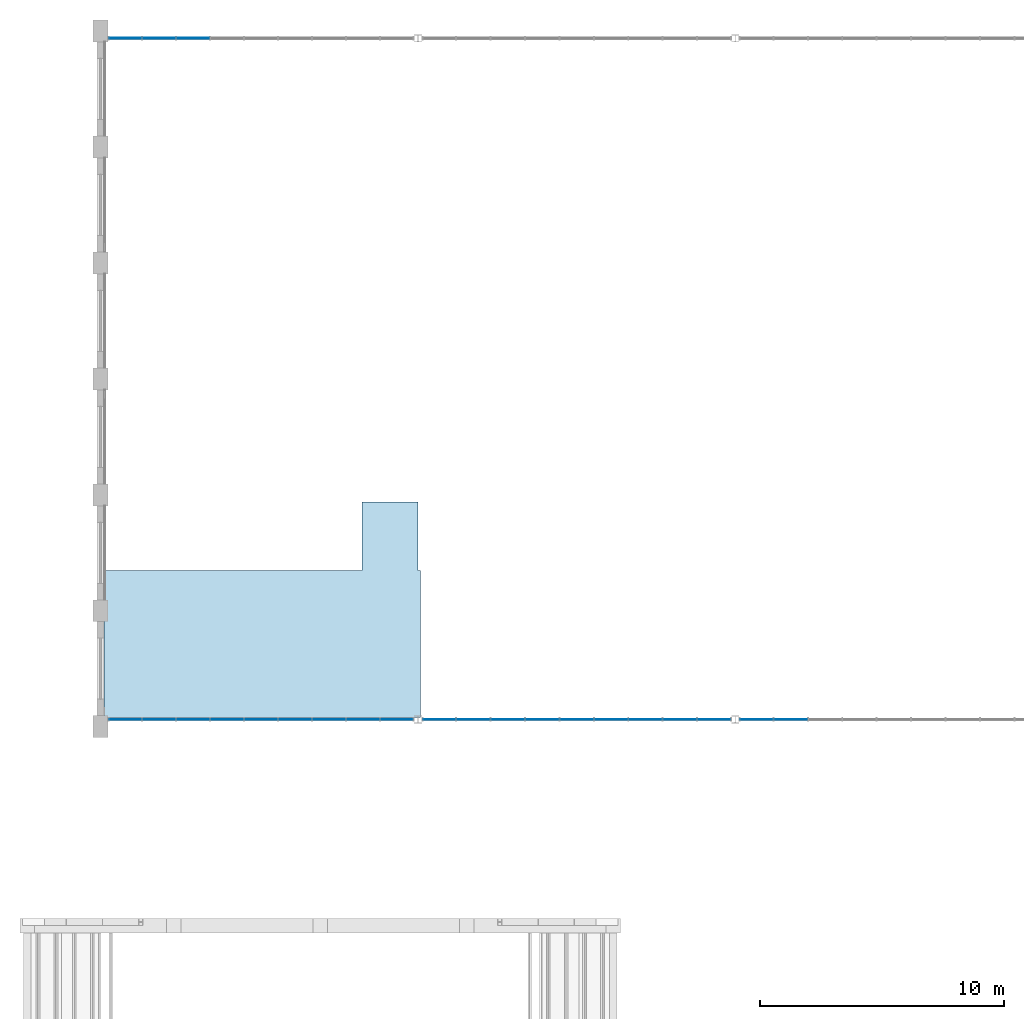
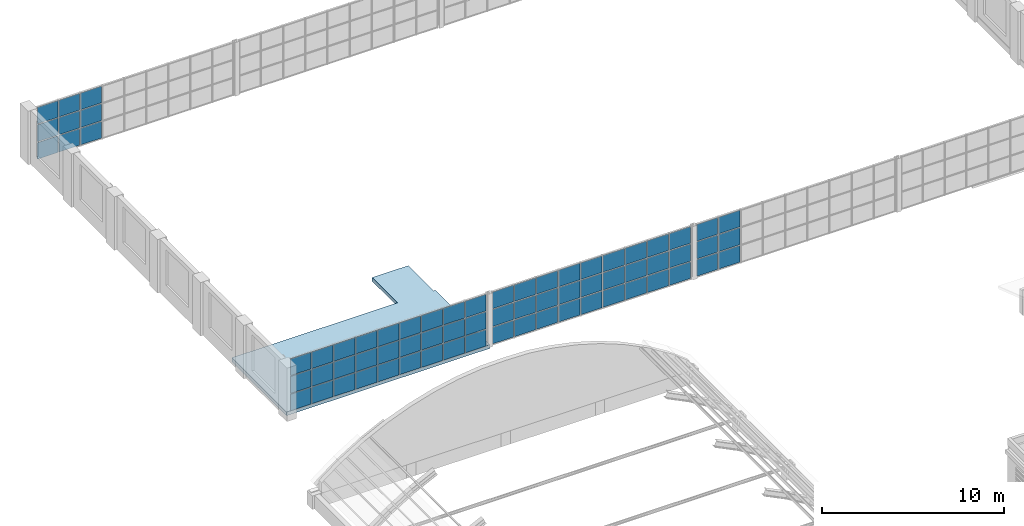
# One storey, part 27 of 70: 69 plates, 1 slab, 4 elements without a shape of their own.
"""IFC4 building model written with IfcOpenShell, lengths in metres."""

from ifc_helpers import new_model, si_unit, direction, frame, origin, origin_2d, place, context, subcontext, project, spatial, polyline, rectangle, outline, extrude, material, layer, layer_set, type_object, element, aggregate, save


model = new_model("IFC4")

# Units and contexts
model_context = context("Model", 3, precision=1e-05, world=origin(), true_north=direction((0.0, 1.0)))
body_context = subcontext(model_context, "Body", "Model", "MODEL_VIEW")
ifc_project = project(units=[si_unit("LENGTHUNIT", "METRE"), si_unit("AREAUNIT", "SQUARE_METRE"), si_unit("VOLUMEUNIT", "CUBIC_METRE"), si_unit("PLANEANGLEUNIT", "RADIAN"), si_unit("MASSUNIT", "GRAM", prefix="KILO")], contexts=[model_context])

# Site, building, storey
site_placement = place(None, origin())
site = spatial("IfcSite", under=ifc_project, at=site_placement, CompositionType="ELEMENT")
building_placement = place(site_placement, origin())
building = spatial("IfcBuilding", under=site, at=building_placement, Name="Elbe Cascade School", CompositionType="ELEMENT")
storey_placement = place(building_placement, frame((0.0, 0.0, 8.10009765625)))
storey = spatial("IfcBuildingStorey", under=building, at=storey_placement, Name="L02", CompositionType="ELEMENT", Elevation=8.10009765625)

# Slab
ifc_material_1 = material(Name="Concrete C30/37", Category="concrete")
ifc_layer_1 = layer(ifc_material_1, 0.25)
ifc_layer_set_1 = layer_set([ifc_layer_1], Name="Concrete C30/37")
slab_type = type_object("IfcSlabType", Name="Hall block roof slab Concrete C30/37", PredefinedType="ROOF", material=ifc_layer_set_1)
slab_placement = place(storey_placement, frame((0.0, 0.0, -0.25)))
element("IfcSlab", 1, at=slab_placement, inside=storey, type_object=slab_type, Name="Stair and lobby roof slab", PredefinedType="ROOF", context=body_context, shape_type="SweptSolid", body=[
    extrude(outline(polyline([(21.10009765625, 47.39990234375), (21.10009765625, 41.375), (8.14990234375, 41.375), (8.14990234375, 47.39990234375), (18.699951171875, 47.39990234375), (18.699951171875, 50.199951171875), (21.0, 50.199951171875), (21.0, 47.39990234375), (21.10009765625, 47.39990234375)])), origin(), (0.0, 0.0, 1.0), 0.25),
])

# Curtain wall, plates
ifc_material_2 = material(Name="Glass - double glazed low-E", Category="glass")
curtain_wall_type = type_object("IfcCurtainWallType", Name="Hall gable curtain wall", PredefinedType="NOTDEFINED", material=ifc_material_2)
curtain_wall_1_placement = place(storey_placement, origin())
curtain_wall_1 = element("IfcCurtainWall", 2, at=curtain_wall_1_placement, inside=storey, type_object=curtain_wall_type, Name="Gable curtain wall S1", PredefinedType="NOTDEFINED")
ifc_material_3 = material(Name="Glass - double glazed low-E", Category="glass")
ifc_layer_2 = layer(ifc_material_3, 0.028076171875)
ifc_layer_set_2 = layer_set([ifc_layer_2], Name="Glass - double glazed low-E")
plate_type = type_object("IfcPlateType", Name="Hall gable glass panel", PredefinedType="CURTAIN_PANEL", material=ifc_layer_set_2)
plate_1_placement = place(storey_placement, frame((9.01220703125, 41.300048828125, 0.06005859375), z_axis=(0.0, 0.0, 1.0), x_axis=(1.0, 0.0, 0.0)))
plate_1 = element("IfcPlate", 3, at=plate_1_placement, type_object=plate_type, Name="CW6 panel 1.1", PredefinedType="CURTAIN_PANEL", context=body_context, shape_type="SweptSolid", body=[
    extrude(rectangle(XDim=1.304443359375, YDim=0.028076171875, at=origin_2d()), origin(), (0.0, 0.0, 1.0), 1.110107421875),
])
plate_2_placement = place(storey_placement, frame((9.01220703125, 41.300048828125, 1.22998046875), z_axis=(0.0, 0.0, 1.0), x_axis=(1.0, 0.0, 0.0)))
plate_2 = element("IfcPlate", 4, at=plate_2_placement, type_object=plate_type, Name="CW6 panel 1.2", PredefinedType="CURTAIN_PANEL", context=body_context, shape_type="SweptSolid", body=[
    extrude(rectangle(XDim=1.304443359375, YDim=0.028076171875, at=origin_2d()), origin(), (0.0, 0.0, 1.0), 1.139892578125),
])
plate_3_placement = place(storey_placement, frame((9.01220703125, 41.300048828125, 2.4296875), z_axis=(0.0, 0.0, 1.0), x_axis=(1.0, 0.0, 0.0)))
plate_3 = element("IfcPlate", 5, at=plate_3_placement, type_object=plate_type, Name="CW6 panel 1.3", PredefinedType="CURTAIN_PANEL", context=body_context, shape_type="SweptSolid", body=[
    extrude(rectangle(XDim=1.304443359375, YDim=0.028076171875, at=origin_2d()), origin(), (0.0, 0.0, 1.0), 1.110107421875),
])
plate_4_placement = place(storey_placement, frame((10.3916015625, 41.300048828125, 0.06005859375), z_axis=(0.0, 0.0, 1.0), x_axis=(1.0, 0.0, 0.0)))
plate_4 = element("IfcPlate", 6, at=plate_4_placement, type_object=plate_type, Name="CW6 panel 2.1", PredefinedType="CURTAIN_PANEL", context=body_context, shape_type="SweptSolid", body=[
    extrude(rectangle(XDim=1.33447265625, YDim=0.028076171875, at=origin_2d()), origin(), (0.0, 0.0, 1.0), 1.110107421875),
])
plate_5_placement = place(storey_placement, frame((10.3916015625, 41.300048828125, 1.22998046875), z_axis=(0.0, 0.0, 1.0), x_axis=(1.0, 0.0, 0.0)))
plate_5 = element("IfcPlate", 7, at=plate_5_placement, type_object=plate_type, Name="CW6 panel 2.2", PredefinedType="CURTAIN_PANEL", context=body_context, shape_type="SweptSolid", body=[
    extrude(rectangle(XDim=1.33447265625, YDim=0.028076171875, at=origin_2d()), origin(), (0.0, 0.0, 1.0), 1.139892578125),
])
plate_6_placement = place(storey_placement, frame((10.3916015625, 41.300048828125, 2.4296875), z_axis=(0.0, 0.0, 1.0), x_axis=(1.0, 0.0, 0.0)))
plate_6 = element("IfcPlate", 8, at=plate_6_placement, type_object=plate_type, Name="CW6 panel 2.3", PredefinedType="CURTAIN_PANEL", context=body_context, shape_type="SweptSolid", body=[
    extrude(rectangle(XDim=1.33447265625, YDim=0.028076171875, at=origin_2d()), origin(), (0.0, 0.0, 1.0), 1.110107421875),
])
plate_7_placement = place(storey_placement, frame((11.7861328125, 41.300048828125, 0.06005859375), z_axis=(0.0, 0.0, 1.0), x_axis=(1.0, 0.0, 0.0)))
plate_7 = element("IfcPlate", 9, at=plate_7_placement, type_object=plate_type, Name="CW6 panel 3.1", PredefinedType="CURTAIN_PANEL", context=body_context, shape_type="SweptSolid", body=[
    extrude(rectangle(XDim=1.33447265625, YDim=0.028076171875, at=origin_2d()), origin(), (0.0, 0.0, 1.0), 1.110107421875),
])
plate_8_placement = place(storey_placement, frame((11.7861328125, 41.300048828125, 1.22998046875), z_axis=(0.0, 0.0, 1.0), x_axis=(1.0, 0.0, 0.0)))
plate_8 = element("IfcPlate", 10, at=plate_8_placement, type_object=plate_type, Name="CW6 panel 3.2", PredefinedType="CURTAIN_PANEL", context=body_context, shape_type="SweptSolid", body=[
    extrude(rectangle(XDim=1.33447265625, YDim=0.028076171875, at=origin_2d()), origin(), (0.0, 0.0, 1.0), 1.139892578125),
])
plate_9_placement = place(storey_placement, frame((11.7861328125, 41.300048828125, 2.4296875), z_axis=(0.0, 0.0, 1.0), x_axis=(1.0, 0.0, 0.0)))
plate_9 = element("IfcPlate", 11, at=plate_9_placement, type_object=plate_type, Name="CW6 panel 3.3", PredefinedType="CURTAIN_PANEL", context=body_context, shape_type="SweptSolid", body=[
    extrude(rectangle(XDim=1.33447265625, YDim=0.028076171875, at=origin_2d()), origin(), (0.0, 0.0, 1.0), 1.110107421875),
])
plate_10_placement = place(storey_placement, frame((13.1806640625, 41.300048828125, 0.06005859375), z_axis=(0.0, 0.0, 1.0), x_axis=(1.0, 0.0, 0.0)))
plate_10 = element("IfcPlate", 12, at=plate_10_placement, type_object=plate_type, Name="CW6 panel 4.1", PredefinedType="CURTAIN_PANEL", context=body_context, shape_type="SweptSolid", body=[
    extrude(rectangle(XDim=1.33447265625, YDim=0.028076171875, at=origin_2d()), origin(), (0.0, 0.0, 1.0), 1.110107421875),
])
plate_11_placement = place(storey_placement, frame((13.1806640625, 41.300048828125, 1.22998046875), z_axis=(0.0, 0.0, 1.0), x_axis=(1.0, 0.0, 0.0)))
plate_11 = element("IfcPlate", 13, at=plate_11_placement, type_object=plate_type, Name="CW6 panel 4.2", PredefinedType="CURTAIN_PANEL", context=body_context, shape_type="SweptSolid", body=[
    extrude(rectangle(XDim=1.33447265625, YDim=0.028076171875, at=origin_2d()), origin(), (0.0, 0.0, 1.0), 1.139892578125),
])
plate_12_placement = place(storey_placement, frame((13.1806640625, 41.300048828125, 2.4296875), z_axis=(0.0, 0.0, 1.0), x_axis=(1.0, 0.0, 0.0)))
plate_12 = element("IfcPlate", 14, at=plate_12_placement, type_object=plate_type, Name="CW6 panel 4.3", PredefinedType="CURTAIN_PANEL", context=body_context, shape_type="SweptSolid", body=[
    extrude(rectangle(XDim=1.33447265625, YDim=0.028076171875, at=origin_2d()), origin(), (0.0, 0.0, 1.0), 1.110107421875),
])
plate_13_placement = place(storey_placement, frame((14.574951171875, 41.300048828125, 0.06005859375), z_axis=(0.0, 0.0, 1.0), x_axis=(1.0, 0.0, 0.0)))
plate_13 = element("IfcPlate", 15, at=plate_13_placement, type_object=plate_type, Name="CW6 panel 5.1", PredefinedType="CURTAIN_PANEL", context=body_context, shape_type="SweptSolid", body=[
    extrude(rectangle(XDim=1.33447265625, YDim=0.028076171875, at=origin_2d()), origin(), (0.0, 0.0, 1.0), 1.110107421875),
])
plate_14_placement = place(storey_placement, frame((14.574951171875, 41.300048828125, 1.22998046875), z_axis=(0.0, 0.0, 1.0), x_axis=(1.0, 0.0, 0.0)))
plate_14 = element("IfcPlate", 16, at=plate_14_placement, type_object=plate_type, Name="CW6 panel 5.2", PredefinedType="CURTAIN_PANEL", context=body_context, shape_type="SweptSolid", body=[
    extrude(rectangle(XDim=1.33447265625, YDim=0.028076171875, at=origin_2d()), origin(), (0.0, 0.0, 1.0), 1.139892578125),
])
plate_15_placement = place(storey_placement, frame((14.574951171875, 41.300048828125, 2.4296875), z_axis=(0.0, 0.0, 1.0), x_axis=(1.0, 0.0, 0.0)))
plate_15 = element("IfcPlate", 17, at=plate_15_placement, type_object=plate_type, Name="CW6 panel 5.3", PredefinedType="CURTAIN_PANEL", context=body_context, shape_type="SweptSolid", body=[
    extrude(rectangle(XDim=1.33447265625, YDim=0.028076171875, at=origin_2d()), origin(), (0.0, 0.0, 1.0), 1.110107421875),
])
plate_16_placement = place(storey_placement, frame((15.969482421875, 41.300048828125, 0.06005859375), z_axis=(0.0, 0.0, 1.0), x_axis=(1.0, 0.0, 0.0)))
plate_16 = element("IfcPlate", 18, at=plate_16_placement, type_object=plate_type, Name="CW6 panel 6.1", PredefinedType="CURTAIN_PANEL", context=body_context, shape_type="SweptSolid", body=[
    extrude(rectangle(XDim=1.33447265625, YDim=0.028076171875, at=origin_2d()), origin(), (0.0, 0.0, 1.0), 1.110107421875),
])
plate_17_placement = place(storey_placement, frame((15.969482421875, 41.300048828125, 1.22998046875), z_axis=(0.0, 0.0, 1.0), x_axis=(1.0, 0.0, 0.0)))
plate_17 = element("IfcPlate", 19, at=plate_17_placement, type_object=plate_type, Name="CW6 panel 6.2", PredefinedType="CURTAIN_PANEL", context=body_context, shape_type="SweptSolid", body=[
    extrude(rectangle(XDim=1.33447265625, YDim=0.028076171875, at=origin_2d()), origin(), (0.0, 0.0, 1.0), 1.139892578125),
])
plate_18_placement = place(storey_placement, frame((15.969482421875, 41.300048828125, 2.4296875), z_axis=(0.0, 0.0, 1.0), x_axis=(1.0, 0.0, 0.0)))
plate_18 = element("IfcPlate", 20, at=plate_18_placement, type_object=plate_type, Name="CW6 panel 6.3", PredefinedType="CURTAIN_PANEL", context=body_context, shape_type="SweptSolid", body=[
    extrude(rectangle(XDim=1.33447265625, YDim=0.028076171875, at=origin_2d()), origin(), (0.0, 0.0, 1.0), 1.110107421875),
])
plate_19_placement = place(storey_placement, frame((17.36376953125, 41.300048828125, 0.06005859375), z_axis=(0.0, 0.0, 1.0), x_axis=(1.0, 0.0, 0.0)))
plate_19 = element("IfcPlate", 21, at=plate_19_placement, type_object=plate_type, Name="CW6 panel 7.1", PredefinedType="CURTAIN_PANEL", context=body_context, shape_type="SweptSolid", body=[
    extrude(rectangle(XDim=1.33447265625, YDim=0.028076171875, at=origin_2d()), origin(), (0.0, 0.0, 1.0), 1.110107421875),
])
plate_20_placement = place(storey_placement, frame((17.36376953125, 41.300048828125, 1.22998046875), z_axis=(0.0, 0.0, 1.0), x_axis=(1.0, 0.0, 0.0)))
plate_20 = element("IfcPlate", 22, at=plate_20_placement, type_object=plate_type, Name="CW6 panel 7.2", PredefinedType="CURTAIN_PANEL", context=body_context, shape_type="SweptSolid", body=[
    extrude(rectangle(XDim=1.33447265625, YDim=0.028076171875, at=origin_2d()), origin(), (0.0, 0.0, 1.0), 1.139892578125),
])
plate_21_placement = place(storey_placement, frame((17.36376953125, 41.300048828125, 2.4296875), z_axis=(0.0, 0.0, 1.0), x_axis=(1.0, 0.0, 0.0)))
plate_21 = element("IfcPlate", 23, at=plate_21_placement, type_object=plate_type, Name="CW6 panel 7.3", PredefinedType="CURTAIN_PANEL", context=body_context, shape_type="SweptSolid", body=[
    extrude(rectangle(XDim=1.33447265625, YDim=0.028076171875, at=origin_2d()), origin(), (0.0, 0.0, 1.0), 1.110107421875),
])
plate_22_placement = place(storey_placement, frame((18.75830078125, 41.300048828125, 0.06005859375), z_axis=(0.0, 0.0, 1.0), x_axis=(1.0, 0.0, 0.0)))
plate_22 = element("IfcPlate", 24, at=plate_22_placement, type_object=plate_type, Name="CW6 panel 8.1", PredefinedType="CURTAIN_PANEL", context=body_context, shape_type="SweptSolid", body=[
    extrude(rectangle(XDim=1.33447265625, YDim=0.028076171875, at=origin_2d()), origin(), (0.0, 0.0, 1.0), 1.110107421875),
])
plate_23_placement = place(storey_placement, frame((18.75830078125, 41.300048828125, 1.22998046875), z_axis=(0.0, 0.0, 1.0), x_axis=(1.0, 0.0, 0.0)))
plate_23 = element("IfcPlate", 25, at=plate_23_placement, type_object=plate_type, Name="CW6 panel 8.2", PredefinedType="CURTAIN_PANEL", context=body_context, shape_type="SweptSolid", body=[
    extrude(rectangle(XDim=1.33447265625, YDim=0.028076171875, at=origin_2d()), origin(), (0.0, 0.0, 1.0), 1.139892578125),
])
plate_24_placement = place(storey_placement, frame((18.75830078125, 41.300048828125, 2.4296875), z_axis=(0.0, 0.0, 1.0), x_axis=(1.0, 0.0, 0.0)))
plate_24 = element("IfcPlate", 26, at=plate_24_placement, type_object=plate_type, Name="CW6 panel 8.3", PredefinedType="CURTAIN_PANEL", context=body_context, shape_type="SweptSolid", body=[
    extrude(rectangle(XDim=1.33447265625, YDim=0.028076171875, at=origin_2d()), origin(), (0.0, 0.0, 1.0), 1.110107421875),
])
plate_25_placement = place(storey_placement, frame((20.1376953125, 41.300048828125, 0.06005859375), z_axis=(0.0, 0.0, 1.0), x_axis=(1.0, 0.0, 0.0)))
plate_25 = element("IfcPlate", 27, at=plate_25_placement, type_object=plate_type, Name="CW6 panel 9.1", PredefinedType="CURTAIN_PANEL", context=body_context, shape_type="SweptSolid", body=[
    extrude(rectangle(XDim=1.304443359375, YDim=0.028076171875, at=origin_2d()), origin(), (0.0, 0.0, 1.0), 1.110107421875),
])
plate_26_placement = place(storey_placement, frame((20.1376953125, 41.300048828125, 1.22998046875), z_axis=(0.0, 0.0, 1.0), x_axis=(1.0, 0.0, 0.0)))
plate_26 = element("IfcPlate", 28, at=plate_26_placement, type_object=plate_type, Name="CW6 panel 9.2", PredefinedType="CURTAIN_PANEL", context=body_context, shape_type="SweptSolid", body=[
    extrude(rectangle(XDim=1.304443359375, YDim=0.028076171875, at=origin_2d()), origin(), (0.0, 0.0, 1.0), 1.139892578125),
])
plate_27_placement = place(storey_placement, frame((20.1376953125, 41.300048828125, 2.4296875), z_axis=(0.0, 0.0, 1.0), x_axis=(1.0, 0.0, 0.0)))
plate_27 = element("IfcPlate", 29, at=plate_27_placement, type_object=plate_type, Name="CW6 panel 9.3", PredefinedType="CURTAIN_PANEL", context=body_context, shape_type="SweptSolid", body=[
    extrude(rectangle(XDim=1.304443359375, YDim=0.028076171875, at=origin_2d()), origin(), (0.0, 0.0, 1.0), 1.110107421875),
])
aggregate(curtain_wall_1, [plate_1, plate_2, plate_3, plate_4, plate_5, plate_6, plate_7, plate_8, plate_9, plate_10, plate_11, plate_12, plate_13, plate_14, plate_15, plate_16, plate_17, plate_18, plate_19, plate_20, plate_21, plate_22, plate_23, plate_24, plate_25, plate_26, plate_27])

curtain_wall_2_placement = place(storey_placement, origin())
curtain_wall_2 = element("IfcCurtainWall", 30, at=curtain_wall_2_placement, inside=storey, type_object=curtain_wall_type, Name="Gable curtain wall S2", PredefinedType="NOTDEFINED")
plate_28_placement = place(storey_placement, frame((21.87060546875, 41.300048828125, 0.06005859375), z_axis=(0.0, 0.0, 1.0), x_axis=(1.0, 0.0, 0.0)))
plate_28 = element("IfcPlate", 31, at=plate_28_placement, type_object=plate_type, Name="CW6 panel 1.1", PredefinedType="CURTAIN_PANEL", context=body_context, shape_type="SweptSolid", body=[
    extrude(rectangle(XDim=1.321044921875, YDim=0.028076171875, at=origin_2d()), origin(), (0.0, 0.0, 1.0), 1.110107421875),
])
plate_29_placement = place(storey_placement, frame((21.87060546875, 41.300048828125, 1.22998046875), z_axis=(0.0, 0.0, 1.0), x_axis=(1.0, 0.0, 0.0)))
plate_29 = element("IfcPlate", 32, at=plate_29_placement, type_object=plate_type, Name="CW6 panel 1.2", PredefinedType="CURTAIN_PANEL", context=body_context, shape_type="SweptSolid", body=[
    extrude(rectangle(XDim=1.321044921875, YDim=0.028076171875, at=origin_2d()), origin(), (0.0, 0.0, 1.0), 1.139892578125),
])
plate_30_placement = place(storey_placement, frame((21.87060546875, 41.300048828125, 2.4296875), z_axis=(0.0, 0.0, 1.0), x_axis=(1.0, 0.0, 0.0)))
plate_30 = element("IfcPlate", 33, at=plate_30_placement, type_object=plate_type, Name="CW6 panel 1.3", PredefinedType="CURTAIN_PANEL", context=body_context, shape_type="SweptSolid", body=[
    extrude(rectangle(XDim=1.321044921875, YDim=0.028076171875, at=origin_2d()), origin(), (0.0, 0.0, 1.0), 1.110107421875),
])
plate_31_placement = place(storey_placement, frame((23.2666015625, 41.300048828125, 0.06005859375), z_axis=(0.0, 0.0, 1.0), x_axis=(1.0, 0.0, 0.0)))
plate_31 = element("IfcPlate", 34, at=plate_31_placement, type_object=plate_type, Name="CW6 panel 2.1", PredefinedType="CURTAIN_PANEL", context=body_context, shape_type="SweptSolid", body=[
    extrude(rectangle(XDim=1.35107421875, YDim=0.028076171875, at=origin_2d()), origin(), (0.0, 0.0, 1.0), 1.110107421875),
])
plate_32_placement = place(storey_placement, frame((23.2666015625, 41.300048828125, 1.22998046875), z_axis=(0.0, 0.0, 1.0), x_axis=(1.0, 0.0, 0.0)))
plate_32 = element("IfcPlate", 35, at=plate_32_placement, type_object=plate_type, Name="CW6 panel 2.2", PredefinedType="CURTAIN_PANEL", context=body_context, shape_type="SweptSolid", body=[
    extrude(rectangle(XDim=1.35107421875, YDim=0.028076171875, at=origin_2d()), origin(), (0.0, 0.0, 1.0), 1.139892578125),
])
plate_33_placement = place(storey_placement, frame((23.2666015625, 41.300048828125, 2.4296875), z_axis=(0.0, 0.0, 1.0), x_axis=(1.0, 0.0, 0.0)))
plate_33 = element("IfcPlate", 36, at=plate_33_placement, type_object=plate_type, Name="CW6 panel 2.3", PredefinedType="CURTAIN_PANEL", context=body_context, shape_type="SweptSolid", body=[
    extrude(rectangle(XDim=1.35107421875, YDim=0.028076171875, at=origin_2d()), origin(), (0.0, 0.0, 1.0), 1.110107421875),
])
plate_34_placement = place(storey_placement, frame((24.677734375, 41.300048828125, 0.06005859375), z_axis=(0.0, 0.0, 1.0), x_axis=(1.0, 0.0, 0.0)))
plate_34 = element("IfcPlate", 37, at=plate_34_placement, type_object=plate_type, Name="CW6 panel 3.1", PredefinedType="CURTAIN_PANEL", context=body_context, shape_type="SweptSolid", body=[
    extrude(rectangle(XDim=1.35107421875, YDim=0.028076171875, at=origin_2d()), origin(), (0.0, 0.0, 1.0), 1.110107421875),
])
plate_35_placement = place(storey_placement, frame((24.677734375, 41.300048828125, 1.22998046875), z_axis=(0.0, 0.0, 1.0), x_axis=(1.0, 0.0, 0.0)))
plate_35 = element("IfcPlate", 38, at=plate_35_placement, type_object=plate_type, Name="CW6 panel 3.2", PredefinedType="CURTAIN_PANEL", context=body_context, shape_type="SweptSolid", body=[
    extrude(rectangle(XDim=1.35107421875, YDim=0.028076171875, at=origin_2d()), origin(), (0.0, 0.0, 1.0), 1.139892578125),
])
plate_36_placement = place(storey_placement, frame((24.677734375, 41.300048828125, 2.4296875), z_axis=(0.0, 0.0, 1.0), x_axis=(1.0, 0.0, 0.0)))
plate_36 = element("IfcPlate", 39, at=plate_36_placement, type_object=plate_type, Name="CW6 panel 3.3", PredefinedType="CURTAIN_PANEL", context=body_context, shape_type="SweptSolid", body=[
    extrude(rectangle(XDim=1.35107421875, YDim=0.028076171875, at=origin_2d()), origin(), (0.0, 0.0, 1.0), 1.110107421875),
])
plate_37_placement = place(storey_placement, frame((26.0888671875, 41.300048828125, 0.06005859375), z_axis=(0.0, 0.0, 1.0), x_axis=(1.0, 0.0, 0.0)))
plate_37 = element("IfcPlate", 40, at=plate_37_placement, type_object=plate_type, Name="CW6 panel 4.1", PredefinedType="CURTAIN_PANEL", context=body_context, shape_type="SweptSolid", body=[
    extrude(rectangle(XDim=1.35107421875, YDim=0.028076171875, at=origin_2d()), origin(), (0.0, 0.0, 1.0), 1.110107421875),
])
plate_38_placement = place(storey_placement, frame((26.0888671875, 41.300048828125, 1.22998046875), z_axis=(0.0, 0.0, 1.0), x_axis=(1.0, 0.0, 0.0)))
plate_38 = element("IfcPlate", 41, at=plate_38_placement, type_object=plate_type, Name="CW6 panel 4.2", PredefinedType="CURTAIN_PANEL", context=body_context, shape_type="SweptSolid", body=[
    extrude(rectangle(XDim=1.35107421875, YDim=0.028076171875, at=origin_2d()), origin(), (0.0, 0.0, 1.0), 1.139892578125),
])
plate_39_placement = place(storey_placement, frame((26.0888671875, 41.300048828125, 2.4296875), z_axis=(0.0, 0.0, 1.0), x_axis=(1.0, 0.0, 0.0)))
plate_39 = element("IfcPlate", 42, at=plate_39_placement, type_object=plate_type, Name="CW6 panel 4.3", PredefinedType="CURTAIN_PANEL", context=body_context, shape_type="SweptSolid", body=[
    extrude(rectangle(XDim=1.35107421875, YDim=0.028076171875, at=origin_2d()), origin(), (0.0, 0.0, 1.0), 1.110107421875),
])
plate_40_placement = place(storey_placement, frame((27.5, 41.300048828125, 0.06005859375), z_axis=(0.0, 0.0, 1.0), x_axis=(1.0, 0.0, 0.0)))
plate_40 = element("IfcPlate", 43, at=plate_40_placement, type_object=plate_type, Name="CW6 panel 5.1", PredefinedType="CURTAIN_PANEL", context=body_context, shape_type="SweptSolid", body=[
    extrude(rectangle(XDim=1.35107421875, YDim=0.028076171875, at=origin_2d()), origin(), (0.0, 0.0, 1.0), 1.110107421875),
])
plate_41_placement = place(storey_placement, frame((27.5, 41.300048828125, 1.22998046875), z_axis=(0.0, 0.0, 1.0), x_axis=(1.0, 0.0, 0.0)))
plate_41 = element("IfcPlate", 44, at=plate_41_placement, type_object=plate_type, Name="CW6 panel 5.2", PredefinedType="CURTAIN_PANEL", context=body_context, shape_type="SweptSolid", body=[
    extrude(rectangle(XDim=1.35107421875, YDim=0.028076171875, at=origin_2d()), origin(), (0.0, 0.0, 1.0), 1.139892578125),
])
plate_42_placement = place(storey_placement, frame((27.5, 41.300048828125, 2.4296875), z_axis=(0.0, 0.0, 1.0), x_axis=(1.0, 0.0, 0.0)))
plate_42 = element("IfcPlate", 45, at=plate_42_placement, type_object=plate_type, Name="CW6 panel 5.3", PredefinedType="CURTAIN_PANEL", context=body_context, shape_type="SweptSolid", body=[
    extrude(rectangle(XDim=1.35107421875, YDim=0.028076171875, at=origin_2d()), origin(), (0.0, 0.0, 1.0), 1.110107421875),
])
plate_43_placement = place(storey_placement, frame((28.9111328125, 41.300048828125, 0.06005859375), z_axis=(0.0, 0.0, 1.0), x_axis=(1.0, 0.0, 0.0)))
plate_43 = element("IfcPlate", 46, at=plate_43_placement, type_object=plate_type, Name="CW6 panel 6.1", PredefinedType="CURTAIN_PANEL", context=body_context, shape_type="SweptSolid", body=[
    extrude(rectangle(XDim=1.35107421875, YDim=0.028076171875, at=origin_2d()), origin(), (0.0, 0.0, 1.0), 1.110107421875),
])
plate_44_placement = place(storey_placement, frame((28.9111328125, 41.300048828125, 1.22998046875), z_axis=(0.0, 0.0, 1.0), x_axis=(1.0, 0.0, 0.0)))
plate_44 = element("IfcPlate", 47, at=plate_44_placement, type_object=plate_type, Name="CW6 panel 6.2", PredefinedType="CURTAIN_PANEL", context=body_context, shape_type="SweptSolid", body=[
    extrude(rectangle(XDim=1.35107421875, YDim=0.028076171875, at=origin_2d()), origin(), (0.0, 0.0, 1.0), 1.139892578125),
])
plate_45_placement = place(storey_placement, frame((28.9111328125, 41.300048828125, 2.4296875), z_axis=(0.0, 0.0, 1.0), x_axis=(1.0, 0.0, 0.0)))
plate_45 = element("IfcPlate", 48, at=plate_45_placement, type_object=plate_type, Name="CW6 panel 6.3", PredefinedType="CURTAIN_PANEL", context=body_context, shape_type="SweptSolid", body=[
    extrude(rectangle(XDim=1.35107421875, YDim=0.028076171875, at=origin_2d()), origin(), (0.0, 0.0, 1.0), 1.110107421875),
])
plate_46_placement = place(storey_placement, frame((30.322265625, 41.300048828125, 0.06005859375), z_axis=(0.0, 0.0, 1.0), x_axis=(1.0, 0.0, 0.0)))
plate_46 = element("IfcPlate", 49, at=plate_46_placement, type_object=plate_type, Name="CW6 panel 7.1", PredefinedType="CURTAIN_PANEL", context=body_context, shape_type="SweptSolid", body=[
    extrude(rectangle(XDim=1.35107421875, YDim=0.028076171875, at=origin_2d()), origin(), (0.0, 0.0, 1.0), 1.110107421875),
])
plate_47_placement = place(storey_placement, frame((30.322265625, 41.300048828125, 1.22998046875), z_axis=(0.0, 0.0, 1.0), x_axis=(1.0, 0.0, 0.0)))
plate_47 = element("IfcPlate", 50, at=plate_47_placement, type_object=plate_type, Name="CW6 panel 7.2", PredefinedType="CURTAIN_PANEL", context=body_context, shape_type="SweptSolid", body=[
    extrude(rectangle(XDim=1.35107421875, YDim=0.028076171875, at=origin_2d()), origin(), (0.0, 0.0, 1.0), 1.139892578125),
])
plate_48_placement = place(storey_placement, frame((30.322265625, 41.300048828125, 2.4296875), z_axis=(0.0, 0.0, 1.0), x_axis=(1.0, 0.0, 0.0)))
plate_48 = element("IfcPlate", 51, at=plate_48_placement, type_object=plate_type, Name="CW6 panel 7.3", PredefinedType="CURTAIN_PANEL", context=body_context, shape_type="SweptSolid", body=[
    extrude(rectangle(XDim=1.35107421875, YDim=0.028076171875, at=origin_2d()), origin(), (0.0, 0.0, 1.0), 1.110107421875),
])
plate_49_placement = place(storey_placement, frame((31.7333984375, 41.300048828125, 0.06005859375), z_axis=(0.0, 0.0, 1.0), x_axis=(1.0, 0.0, 0.0)))
plate_49 = element("IfcPlate", 52, at=plate_49_placement, type_object=plate_type, Name="CW6 panel 8.1", PredefinedType="CURTAIN_PANEL", context=body_context, shape_type="SweptSolid", body=[
    extrude(rectangle(XDim=1.35107421875, YDim=0.028076171875, at=origin_2d()), origin(), (0.0, 0.0, 1.0), 1.110107421875),
])
plate_50_placement = place(storey_placement, frame((31.7333984375, 41.300048828125, 1.22998046875), z_axis=(0.0, 0.0, 1.0), x_axis=(1.0, 0.0, 0.0)))
plate_50 = element("IfcPlate", 53, at=plate_50_placement, type_object=plate_type, Name="CW6 panel 8.2", PredefinedType="CURTAIN_PANEL", context=body_context, shape_type="SweptSolid", body=[
    extrude(rectangle(XDim=1.35107421875, YDim=0.028076171875, at=origin_2d()), origin(), (0.0, 0.0, 1.0), 1.139892578125),
])
plate_51_placement = place(storey_placement, frame((31.7333984375, 41.300048828125, 2.4296875), z_axis=(0.0, 0.0, 1.0), x_axis=(1.0, 0.0, 0.0)))
plate_51 = element("IfcPlate", 54, at=plate_51_placement, type_object=plate_type, Name="CW6 panel 8.3", PredefinedType="CURTAIN_PANEL", context=body_context, shape_type="SweptSolid", body=[
    extrude(rectangle(XDim=1.35107421875, YDim=0.028076171875, at=origin_2d()), origin(), (0.0, 0.0, 1.0), 1.110107421875),
])
plate_52_placement = place(storey_placement, frame((33.12939453125, 41.300048828125, 0.06005859375), z_axis=(0.0, 0.0, 1.0), x_axis=(1.0, 0.0, 0.0)))
plate_52 = element("IfcPlate", 55, at=plate_52_placement, type_object=plate_type, Name="CW6 panel 9.1", PredefinedType="CURTAIN_PANEL", context=body_context, shape_type="SweptSolid", body=[
    extrude(rectangle(XDim=1.321044921875, YDim=0.028076171875, at=origin_2d()), origin(), (0.0, 0.0, 1.0), 1.110107421875),
])
plate_53_placement = place(storey_placement, frame((33.12939453125, 41.300048828125, 1.22998046875), z_axis=(0.0, 0.0, 1.0), x_axis=(1.0, 0.0, 0.0)))
plate_53 = element("IfcPlate", 56, at=plate_53_placement, type_object=plate_type, Name="CW6 panel 9.2", PredefinedType="CURTAIN_PANEL", context=body_context, shape_type="SweptSolid", body=[
    extrude(rectangle(XDim=1.321044921875, YDim=0.028076171875, at=origin_2d()), origin(), (0.0, 0.0, 1.0), 1.139892578125),
])
plate_54_placement = place(storey_placement, frame((33.12939453125, 41.300048828125, 2.4296875), z_axis=(0.0, 0.0, 1.0), x_axis=(1.0, 0.0, 0.0)))
plate_54 = element("IfcPlate", 57, at=plate_54_placement, type_object=plate_type, Name="CW6 panel 9.3", PredefinedType="CURTAIN_PANEL", context=body_context, shape_type="SweptSolid", body=[
    extrude(rectangle(XDim=1.321044921875, YDim=0.028076171875, at=origin_2d()), origin(), (0.0, 0.0, 1.0), 1.110107421875),
])
aggregate(curtain_wall_2, [plate_28, plate_29, plate_30, plate_31, plate_32, plate_33, plate_34, plate_35, plate_36, plate_37, plate_38, plate_39, plate_40, plate_41, plate_42, plate_43, plate_44, plate_45, plate_46, plate_47, plate_48, plate_49, plate_50, plate_51, plate_52, plate_53, plate_54])

curtain_wall_3_placement = place(storey_placement, origin())
curtain_wall_3 = element("IfcCurtainWall", 58, at=curtain_wall_3_placement, inside=storey, type_object=curtain_wall_type, Name="Gable curtain wall S3", PredefinedType="NOTDEFINED")
plate_55_placement = place(storey_placement, frame((34.87060546875, 41.300048828125, 0.06005859375), z_axis=(0.0, 0.0, 1.0), x_axis=(1.0, 0.0, 0.0)))
plate_55 = element("IfcPlate", 59, at=plate_55_placement, type_object=plate_type, Name="CW6 panel 1.1", PredefinedType="CURTAIN_PANEL", context=body_context, shape_type="SweptSolid", body=[
    extrude(rectangle(XDim=1.321044921875, YDim=0.028076171875, at=origin_2d()), origin(), (0.0, 0.0, 1.0), 1.110107421875),
])
plate_56_placement = place(storey_placement, frame((34.87060546875, 41.300048828125, 1.22998046875), z_axis=(0.0, 0.0, 1.0), x_axis=(1.0, 0.0, 0.0)))
plate_56 = element("IfcPlate", 60, at=plate_56_placement, type_object=plate_type, Name="CW6 panel 1.2", PredefinedType="CURTAIN_PANEL", context=body_context, shape_type="SweptSolid", body=[
    extrude(rectangle(XDim=1.321044921875, YDim=0.028076171875, at=origin_2d()), origin(), (0.0, 0.0, 1.0), 1.139892578125),
])
plate_57_placement = place(storey_placement, frame((34.87060546875, 41.300048828125, 2.4296875), z_axis=(0.0, 0.0, 1.0), x_axis=(1.0, 0.0, 0.0)))
plate_57 = element("IfcPlate", 61, at=plate_57_placement, type_object=plate_type, Name="CW6 panel 1.3", PredefinedType="CURTAIN_PANEL", context=body_context, shape_type="SweptSolid", body=[
    extrude(rectangle(XDim=1.321044921875, YDim=0.028076171875, at=origin_2d()), origin(), (0.0, 0.0, 1.0), 1.110107421875),
])
plate_58_placement = place(storey_placement, frame((36.2666015625, 41.300048828125, 0.06005859375), z_axis=(0.0, 0.0, 1.0), x_axis=(1.0, 0.0, 0.0)))
plate_58 = element("IfcPlate", 62, at=plate_58_placement, type_object=plate_type, Name="CW6 panel 2.1", PredefinedType="CURTAIN_PANEL", context=body_context, shape_type="SweptSolid", body=[
    extrude(rectangle(XDim=1.35107421875, YDim=0.028076171875, at=origin_2d()), origin(), (0.0, 0.0, 1.0), 1.110107421875),
])
plate_59_placement = place(storey_placement, frame((36.2666015625, 41.300048828125, 1.22998046875), z_axis=(0.0, 0.0, 1.0), x_axis=(1.0, 0.0, 0.0)))
plate_59 = element("IfcPlate", 63, at=plate_59_placement, type_object=plate_type, Name="CW6 panel 2.2", PredefinedType="CURTAIN_PANEL", context=body_context, shape_type="SweptSolid", body=[
    extrude(rectangle(XDim=1.35107421875, YDim=0.028076171875, at=origin_2d()), origin(), (0.0, 0.0, 1.0), 1.139892578125),
])
plate_60_placement = place(storey_placement, frame((36.2666015625, 41.300048828125, 2.4296875), z_axis=(0.0, 0.0, 1.0), x_axis=(1.0, 0.0, 0.0)))
plate_60 = element("IfcPlate", 64, at=plate_60_placement, type_object=plate_type, Name="CW6 panel 2.3", PredefinedType="CURTAIN_PANEL", context=body_context, shape_type="SweptSolid", body=[
    extrude(rectangle(XDim=1.35107421875, YDim=0.028076171875, at=origin_2d()), origin(), (0.0, 0.0, 1.0), 1.110107421875),
])
aggregate(curtain_wall_3, [plate_55, plate_56, plate_57, plate_58, plate_59, plate_60])

curtain_wall_4_placement = place(storey_placement, origin())
curtain_wall_4 = element("IfcCurtainWall", 65, at=curtain_wall_4_placement, inside=storey, type_object=curtain_wall_type, Name="Gable curtain wall N1", PredefinedType="NOTDEFINED")
plate_61_placement = place(storey_placement, frame((9.01220703125, 69.199951171875, 0.06005859375), z_axis=(0.0, 0.0, 1.0), x_axis=(1.0, 0.0, 0.0)))
plate_61 = element("IfcPlate", 66, at=plate_61_placement, type_object=plate_type, Name="CW6 panel 1.1", PredefinedType="CURTAIN_PANEL", context=body_context, shape_type="SweptSolid", body=[
    extrude(rectangle(XDim=1.304443359375, YDim=0.028076171875, at=origin_2d()), origin(), (0.0, 0.0, 1.0), 1.110107421875),
])
plate_62_placement = place(storey_placement, frame((9.01220703125, 69.199951171875, 1.22998046875), z_axis=(0.0, 0.0, 1.0), x_axis=(1.0, 0.0, 0.0)))
plate_62 = element("IfcPlate", 67, at=plate_62_placement, type_object=plate_type, Name="CW6 panel 1.2", PredefinedType="CURTAIN_PANEL", context=body_context, shape_type="SweptSolid", body=[
    extrude(rectangle(XDim=1.304443359375, YDim=0.028076171875, at=origin_2d()), origin(), (0.0, 0.0, 1.0), 1.139892578125),
])
plate_63_placement = place(storey_placement, frame((9.01220703125, 69.199951171875, 2.4296875), z_axis=(0.0, 0.0, 1.0), x_axis=(1.0, 0.0, 0.0)))
plate_63 = element("IfcPlate", 68, at=plate_63_placement, type_object=plate_type, Name="CW6 panel 1.3", PredefinedType="CURTAIN_PANEL", context=body_context, shape_type="SweptSolid", body=[
    extrude(rectangle(XDim=1.304443359375, YDim=0.028076171875, at=origin_2d()), origin(), (0.0, 0.0, 1.0), 1.110107421875),
])
plate_64_placement = place(storey_placement, frame((10.3916015625, 69.199951171875, 0.06005859375), z_axis=(0.0, 0.0, 1.0), x_axis=(1.0, 0.0, 0.0)))
plate_64 = element("IfcPlate", 69, at=plate_64_placement, type_object=plate_type, Name="CW6 panel 2.1", PredefinedType="CURTAIN_PANEL", context=body_context, shape_type="SweptSolid", body=[
    extrude(rectangle(XDim=1.33447265625, YDim=0.028076171875, at=origin_2d()), origin(), (0.0, 0.0, 1.0), 1.110107421875),
])
plate_65_placement = place(storey_placement, frame((10.3916015625, 69.199951171875, 1.22998046875), z_axis=(0.0, 0.0, 1.0), x_axis=(1.0, 0.0, 0.0)))
plate_65 = element("IfcPlate", 70, at=plate_65_placement, type_object=plate_type, Name="CW6 panel 2.2", PredefinedType="CURTAIN_PANEL", context=body_context, shape_type="SweptSolid", body=[
    extrude(rectangle(XDim=1.33447265625, YDim=0.028076171875, at=origin_2d()), origin(), (0.0, 0.0, 1.0), 1.139892578125),
])
plate_66_placement = place(storey_placement, frame((10.3916015625, 69.199951171875, 2.4296875), z_axis=(0.0, 0.0, 1.0), x_axis=(1.0, 0.0, 0.0)))
plate_66 = element("IfcPlate", 71, at=plate_66_placement, type_object=plate_type, Name="CW6 panel 2.3", PredefinedType="CURTAIN_PANEL", context=body_context, shape_type="SweptSolid", body=[
    extrude(rectangle(XDim=1.33447265625, YDim=0.028076171875, at=origin_2d()), origin(), (0.0, 0.0, 1.0), 1.110107421875),
])
plate_67_placement = place(storey_placement, frame((11.7861328125, 69.199951171875, 0.06005859375), z_axis=(0.0, 0.0, 1.0), x_axis=(1.0, 0.0, 0.0)))
plate_67 = element("IfcPlate", 72, at=plate_67_placement, type_object=plate_type, Name="CW6 panel 3.1", PredefinedType="CURTAIN_PANEL", context=body_context, shape_type="SweptSolid", body=[
    extrude(rectangle(XDim=1.33447265625, YDim=0.028076171875, at=origin_2d()), origin(), (0.0, 0.0, 1.0), 1.110107421875),
])
plate_68_placement = place(storey_placement, frame((11.7861328125, 69.199951171875, 1.22998046875), z_axis=(0.0, 0.0, 1.0), x_axis=(1.0, 0.0, 0.0)))
plate_68 = element("IfcPlate", 73, at=plate_68_placement, type_object=plate_type, Name="CW6 panel 3.2", PredefinedType="CURTAIN_PANEL", context=body_context, shape_type="SweptSolid", body=[
    extrude(rectangle(XDim=1.33447265625, YDim=0.028076171875, at=origin_2d()), origin(), (0.0, 0.0, 1.0), 1.139892578125),
])
plate_69_placement = place(storey_placement, frame((11.7861328125, 69.199951171875, 2.4296875), z_axis=(0.0, 0.0, 1.0), x_axis=(1.0, 0.0, 0.0)))
plate_69 = element("IfcPlate", 74, at=plate_69_placement, type_object=plate_type, Name="CW6 panel 3.3", PredefinedType="CURTAIN_PANEL", context=body_context, shape_type="SweptSolid", body=[
    extrude(rectangle(XDim=1.33447265625, YDim=0.028076171875, at=origin_2d()), origin(), (0.0, 0.0, 1.0), 1.110107421875),
])
aggregate(curtain_wall_4, [plate_61, plate_62, plate_63, plate_64, plate_65, plate_66, plate_67, plate_68, plate_69])

save(model, "model.ifc")
